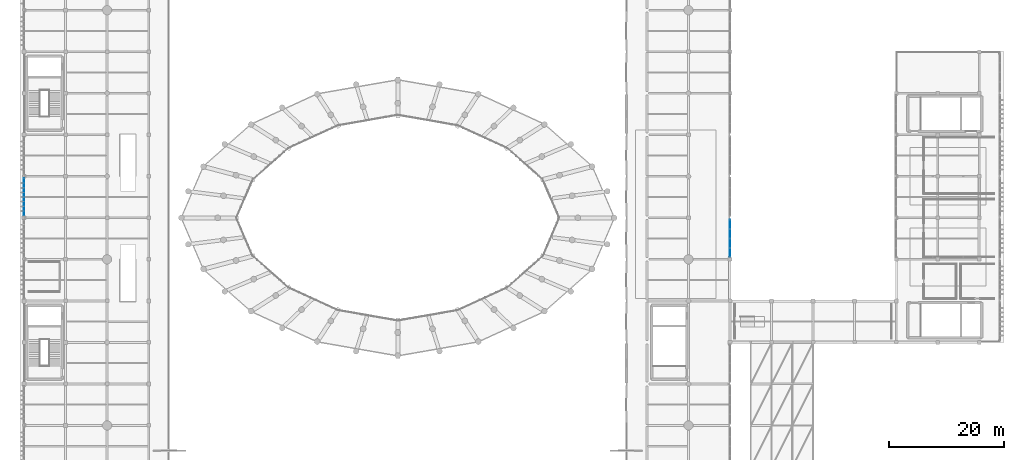
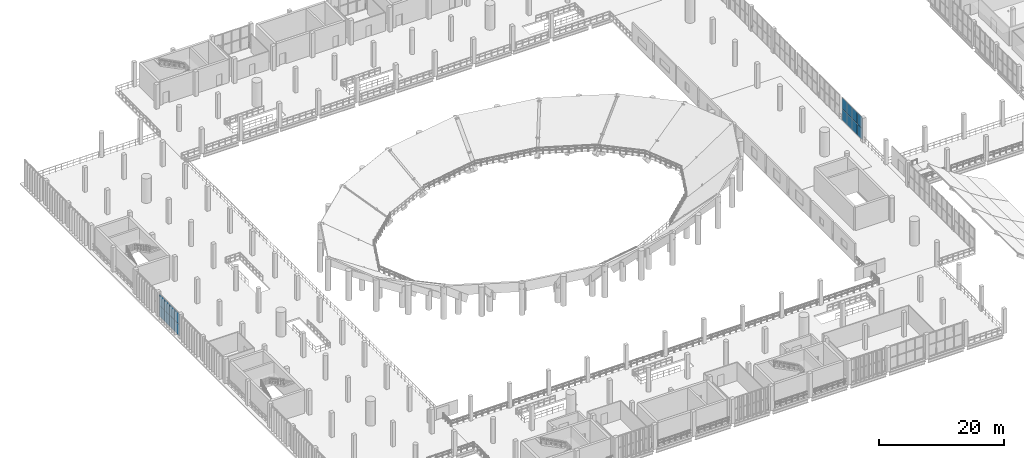
# One storey, part 76 of 105: 16 plates, 2 elements without a shape of their own.
"""IFC4 building model written with IfcOpenShell, lengths in metres."""

from ifc_helpers import new_model, si_unit, direction, frame, origin, origin_2d, place, context, subcontext, project, spatial, rectangle, extrude, material, layer, layer_set, type_object, element, aggregate, save


model = new_model("IFC4")

# Units and contexts
model_context = context("Model", 3, precision=1e-05, world=origin(), true_north=direction((0.0, 1.0)))
body_context = subcontext(model_context, "Body", "Model", "MODEL_VIEW")
ifc_project = project(units=[si_unit("LENGTHUNIT", "METRE"), si_unit("AREAUNIT", "SQUARE_METRE"), si_unit("VOLUMEUNIT", "CUBIC_METRE"), si_unit("PLANEANGLEUNIT", "RADIAN"), si_unit("MASSUNIT", "GRAM", prefix="KILO")], contexts=[model_context])

# Site, building, storey
site_placement = place(None, origin())
site = spatial("IfcSite", under=ifc_project, at=site_placement, CompositionType="ELEMENT")
building_placement = place(site_placement, origin())
building = spatial("IfcBuilding", under=site, at=building_placement, Name="Qandorah Velis Arena", CompositionType="ELEMENT")
storey_placement = place(building_placement, frame((0.0, 0.0, 13.800048828125)))
storey = spatial("IfcBuildingStorey", under=building, at=storey_placement, Name="L03", CompositionType="ELEMENT", Elevation=13.800048828125)

# Curtain wall, plates
ifc_material = material(Name="Solar-control low-E double glazing", Category="glass")
curtain_wall_type_1 = type_object("IfcCurtainWallType", Name="ARC-CW-SYS17", PredefinedType="USERDEFINED", material=ifc_material)
curtain_wall_1_placement = place(storey_placement, origin())
curtain_wall_1 = element("IfcCurtainWall", 1, at=curtain_wall_1_placement, inside=storey, type_object=curtain_wall_type_1, Name="Unitised curtain wall L03-113", ObjectType="UNITISED CURTAIN WALL", PredefinedType="USERDEFINED")
ifc_layer_1 = layer(ifc_material, 0.028076171875)
ifc_layer_set_1 = layer_set([ifc_layer_1], Name="Solar-control low-E double glazing")
plate_type_1 = type_object("IfcPlateType", Name="ARC-CWP-GLZ28", PredefinedType="CURTAIN_PANEL", material=ifc_layer_set_1)
plate_1_placement = place(storey_placement, frame((122.39990234375, 58.78759765625, 0.06494140625), z_axis=(0.0, 0.0, 1.0), x_axis=(0.0, 1.0, 0.0)))
plate_1 = element("IfcPlate", 2, at=plate_1_placement, type_object=plate_type_1, Name="CW17 panel 1.1", PredefinedType="CURTAIN_PANEL", context=body_context, shape_type="SweptSolid", body=[
    extrude(rectangle(XDim=1.544921875, YDim=0.028076171875, at=origin_2d()), origin(), (0.0, 0.0, 1.0), 2.172607421875),
])
plate_2_placement = place(storey_placement, frame((122.39990234375, 58.78759765625, 2.29248046875), z_axis=(0.0, 0.0, 1.0), x_axis=(0.0, 1.0, 0.0)))
plate_2 = element("IfcPlate", 3, at=plate_2_placement, type_object=plate_type_1, Name="CW17 panel 1.2", PredefinedType="CURTAIN_PANEL", context=body_context, shape_type="SweptSolid", body=[
    extrude(rectangle(XDim=1.544921875, YDim=0.028076171875, at=origin_2d()), origin(), (0.0, 0.0, 1.0), 2.172607421875),
])
plate_3_placement = place(storey_placement, frame((122.39990234375, 60.40625, 0.06494140625), z_axis=(0.0, 0.0, 1.0), x_axis=(0.0, 1.0, 0.0)))
plate_3 = element("IfcPlate", 4, at=plate_3_placement, type_object=plate_type_1, Name="CW17 panel 2.1", PredefinedType="CURTAIN_PANEL", context=body_context, shape_type="SweptSolid", body=[
    extrude(rectangle(XDim=1.58251953125, YDim=0.028076171875, at=origin_2d()), origin(), (0.0, 0.0, 1.0), 2.172607421875),
])
plate_4_placement = place(storey_placement, frame((122.39990234375, 60.40625, 2.29248046875), z_axis=(0.0, 0.0, 1.0), x_axis=(0.0, 1.0, 0.0)))
plate_4 = element("IfcPlate", 5, at=plate_4_placement, type_object=plate_type_1, Name="CW17 panel 2.2", PredefinedType="CURTAIN_PANEL", context=body_context, shape_type="SweptSolid", body=[
    extrude(rectangle(XDim=1.58251953125, YDim=0.028076171875, at=origin_2d()), origin(), (0.0, 0.0, 1.0), 2.172607421875),
])
plate_5_placement = place(storey_placement, frame((122.39990234375, 62.043701171875, 0.06494140625), z_axis=(0.0, 0.0, 1.0), x_axis=(0.0, 1.0, 0.0)))
plate_5 = element("IfcPlate", 6, at=plate_5_placement, type_object=plate_type_1, Name="CW17 panel 3.1", PredefinedType="CURTAIN_PANEL", context=body_context, shape_type="SweptSolid", body=[
    extrude(rectangle(XDim=1.58251953125, YDim=0.028076171875, at=origin_2d()), origin(), (0.0, 0.0, 1.0), 2.172607421875),
])
plate_6_placement = place(storey_placement, frame((122.39990234375, 62.043701171875, 2.29248046875), z_axis=(0.0, 0.0, 1.0), x_axis=(0.0, 1.0, 0.0)))
plate_6 = element("IfcPlate", 7, at=plate_6_placement, type_object=plate_type_1, Name="CW17 panel 3.2", PredefinedType="CURTAIN_PANEL", context=body_context, shape_type="SweptSolid", body=[
    extrude(rectangle(XDim=1.58251953125, YDim=0.028076171875, at=origin_2d()), origin(), (0.0, 0.0, 1.0), 2.172607421875),
])
plate_7_placement = place(storey_placement, frame((122.39990234375, 63.66259765625, 0.06494140625), z_axis=(0.0, 0.0, 1.0), x_axis=(0.0, 1.0, 0.0)))
plate_7 = element("IfcPlate", 8, at=plate_7_placement, type_object=plate_type_1, Name="CW17 panel 4.1", PredefinedType="CURTAIN_PANEL", context=body_context, shape_type="SweptSolid", body=[
    extrude(rectangle(XDim=1.544921875, YDim=0.028076171875, at=origin_2d()), origin(), (0.0, 0.0, 1.0), 2.172607421875),
])
plate_8_placement = place(storey_placement, frame((122.39990234375, 63.66259765625, 2.29248046875), z_axis=(0.0, 0.0, 1.0), x_axis=(0.0, 1.0, 0.0)))
plate_8 = element("IfcPlate", 9, at=plate_8_placement, type_object=plate_type_1, Name="CW17 panel 4.2", PredefinedType="CURTAIN_PANEL", context=body_context, shape_type="SweptSolid", body=[
    extrude(rectangle(XDim=1.544921875, YDim=0.028076171875, at=origin_2d()), origin(), (0.0, 0.0, 1.0), 2.172607421875),
])
aggregate(curtain_wall_1, [plate_1, plate_2, plate_3, plate_4, plate_5, plate_6, plate_7, plate_8])

curtain_wall_type_2 = type_object("IfcCurtainWallType", Name="ARC-CW-SYS02", PredefinedType="USERDEFINED", material=ifc_material)
curtain_wall_2_placement = place(storey_placement, origin())
curtain_wall_2 = element("IfcCurtainWall", 10, at=curtain_wall_2_placement, inside=storey, type_object=curtain_wall_type_2, Name="Unitised curtain wall L03-026", ObjectType="UNITISED CURTAIN WALL", PredefinedType="USERDEFINED")
ifc_layer_2 = layer(ifc_material, 0.035888671875)
ifc_layer_set_2 = layer_set([ifc_layer_2], Name="Solar-control low-E double glazing")
plate_type_2 = type_object("IfcPlateType", Name="ARC-CWP-GLZ36", PredefinedType="CURTAIN_PANEL", material=ifc_layer_set_2)
plate_9_placement = place(storey_placement, frame((0.0, 65.98193359375, 0.054931640625), z_axis=(0.0, 0.0, 1.0), x_axis=(0.0, 1.0, 0.0)))
plate_9 = element("IfcPlate", 11, at=plate_9_placement, type_object=plate_type_2, Name="CW02 panel 1.1", PredefinedType="CURTAIN_PANEL", context=body_context, shape_type="SweptSolid", body=[
    extrude(rectangle(XDim=1.5537109375, YDim=0.035888671875, at=origin_2d()), origin(), (0.0, 0.0, 1.0), 2.1875),
])
plate_10_placement = place(storey_placement, frame((0.0, 65.98193359375, 2.287353515625), z_axis=(0.0, 0.0, 1.0), x_axis=(0.0, 1.0, 0.0)))
plate_10 = element("IfcPlate", 12, at=plate_10_placement, type_object=plate_type_2, Name="CW02 panel 1.2", PredefinedType="CURTAIN_PANEL", context=body_context, shape_type="SweptSolid", body=[
    extrude(rectangle(XDim=1.5537109375, YDim=0.035888671875, at=origin_2d()), origin(), (0.0, 0.0, 1.0), 2.1875),
])
plate_11_placement = place(storey_placement, frame((0.0, 67.596923828125, 0.054931640625), z_axis=(0.0, 0.0, 1.0), x_axis=(0.0, 1.0, 0.0)))
plate_11 = element("IfcPlate", 13, at=plate_11_placement, type_object=plate_type_2, Name="CW02 panel 2.1", PredefinedType="CURTAIN_PANEL", context=body_context, shape_type="SweptSolid", body=[
    extrude(rectangle(XDim=1.586181640625, YDim=0.035888671875, at=origin_2d()), origin(), (0.0, 0.0, 1.0), 2.1875),
])
plate_12_placement = place(storey_placement, frame((0.0, 67.596923828125, 2.287353515625), z_axis=(0.0, 0.0, 1.0), x_axis=(0.0, 1.0, 0.0)))
plate_12 = element("IfcPlate", 14, at=plate_12_placement, type_object=plate_type_2, Name="CW02 panel 2.2", PredefinedType="CURTAIN_PANEL", context=body_context, shape_type="SweptSolid", body=[
    extrude(rectangle(XDim=1.586181640625, YDim=0.035888671875, at=origin_2d()), origin(), (0.0, 0.0, 1.0), 2.1875),
])
plate_13_placement = place(storey_placement, frame((0.0, 69.22802734375, 0.054931640625), z_axis=(0.0, 0.0, 1.0), x_axis=(0.0, 1.0, 0.0)))
plate_13 = element("IfcPlate", 15, at=plate_13_placement, type_object=plate_type_2, Name="CW02 panel 3.1", PredefinedType="CURTAIN_PANEL", context=body_context, shape_type="SweptSolid", body=[
    extrude(rectangle(XDim=1.586181640625, YDim=0.035888671875, at=origin_2d()), origin(), (0.0, 0.0, 1.0), 2.1875),
])
plate_14_placement = place(storey_placement, frame((0.0, 69.22802734375, 2.287353515625), z_axis=(0.0, 0.0, 1.0), x_axis=(0.0, 1.0, 0.0)))
plate_14 = element("IfcPlate", 16, at=plate_14_placement, type_object=plate_type_2, Name="CW02 panel 3.2", PredefinedType="CURTAIN_PANEL", context=body_context, shape_type="SweptSolid", body=[
    extrude(rectangle(XDim=1.586181640625, YDim=0.035888671875, at=origin_2d()), origin(), (0.0, 0.0, 1.0), 2.1875),
])
plate_15_placement = place(storey_placement, frame((0.0, 70.843017578125, 0.054931640625), z_axis=(0.0, 0.0, 1.0), x_axis=(0.0, 1.0, 0.0)))
plate_15 = element("IfcPlate", 17, at=plate_15_placement, type_object=plate_type_2, Name="CW02 panel 4.1", PredefinedType="CURTAIN_PANEL", context=body_context, shape_type="SweptSolid", body=[
    extrude(rectangle(XDim=1.5537109375, YDim=0.035888671875, at=origin_2d()), origin(), (0.0, 0.0, 1.0), 2.1875),
])
plate_16_placement = place(storey_placement, frame((0.0, 70.843017578125, 2.287353515625), z_axis=(0.0, 0.0, 1.0), x_axis=(0.0, 1.0, 0.0)))
plate_16 = element("IfcPlate", 18, at=plate_16_placement, type_object=plate_type_2, Name="CW02 panel 4.2", PredefinedType="CURTAIN_PANEL", context=body_context, shape_type="SweptSolid", body=[
    extrude(rectangle(XDim=1.5537109375, YDim=0.035888671875, at=origin_2d()), origin(), (0.0, 0.0, 1.0), 2.1875),
])
aggregate(curtain_wall_2, [plate_9, plate_10, plate_11, plate_12, plate_13, plate_14, plate_15, plate_16])

save(model, "model.ifc")
